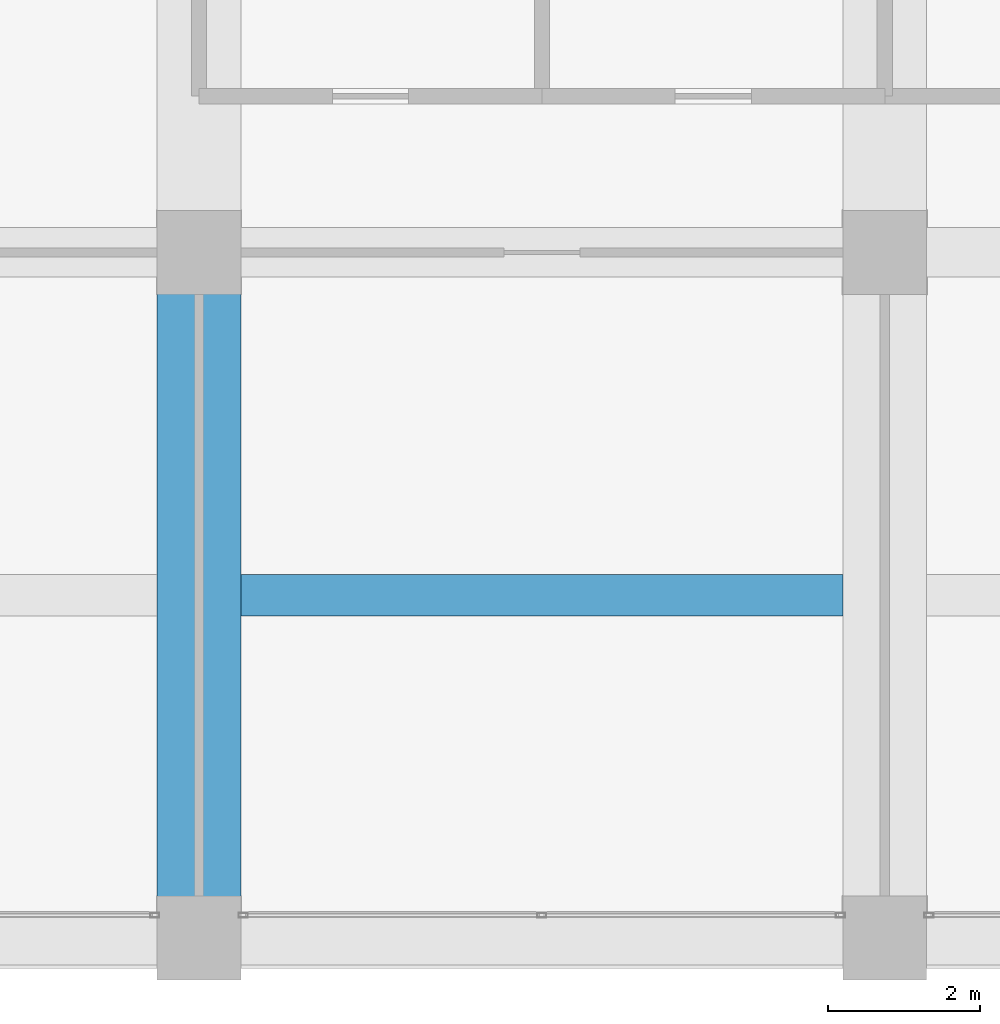
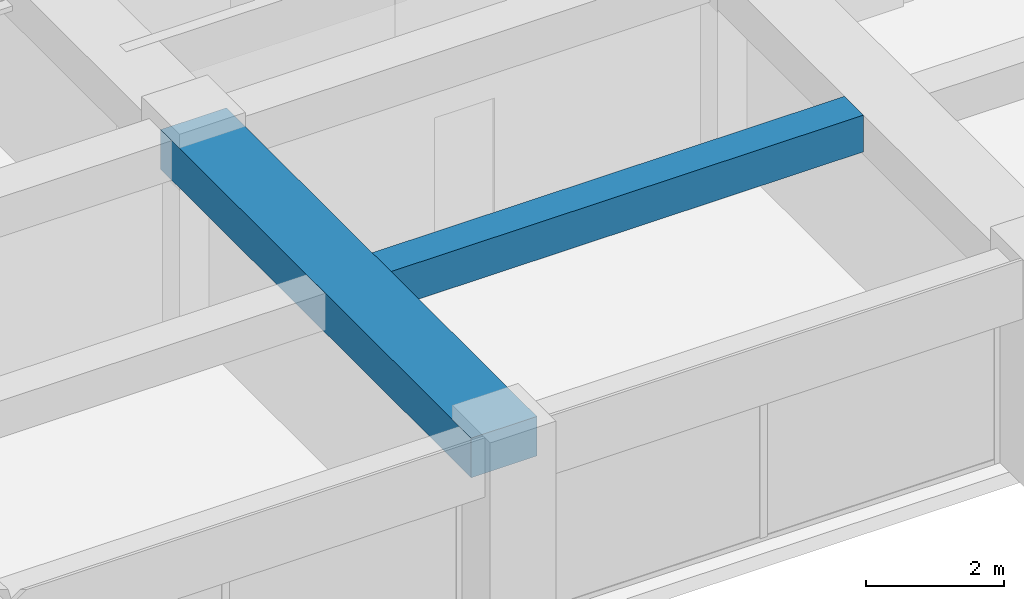
# One storey, part 10 of 44: 2 beams.
"""IFC4 building model written with IfcOpenShell, lengths in metres."""

from ifc_helpers import new_model, si_unit, direction, frame, origin, origin_2d, place, context, subcontext, project, spatial, rectangle, extrude, material, material_profile, profile_set, type_object, element, save


model = new_model("IFC4")

# Units and contexts
model_context = context("Model", 3, precision=1e-05, world=origin(), true_north=direction((0.0, 1.0)))
body_context = subcontext(model_context, "Body", "Model", "MODEL_VIEW")
ifc_project = project(units=[si_unit("LENGTHUNIT", "METRE"), si_unit("AREAUNIT", "SQUARE_METRE"), si_unit("VOLUMEUNIT", "CUBIC_METRE"), si_unit("PLANEANGLEUNIT", "RADIAN"), si_unit("MASSUNIT", "GRAM", prefix="KILO")], contexts=[model_context])

# Site, building, storey
site_placement = place(None, origin())
site = spatial("IfcSite", under=ifc_project, at=site_placement, CompositionType="ELEMENT")
building_placement = place(site_placement, origin())
building = spatial("IfcBuilding", under=site, at=building_placement, Name="Zorevar Civic Tower", CompositionType="ELEMENT")
storey_placement = place(building_placement, frame((0.0, 0.0, 263.39990234375)))
storey = spatial("IfcBuildingStorey", under=building, at=storey_placement, Name="L64", CompositionType="ELEMENT", Elevation=263.39990234375)

# Beams
ifc_material_1 = material(Name="Concrete C50/60", Category="concrete")
ifc_material_profile_1 = material_profile(ifc_material_1, rectangle(XDim=1.10009765625, YDim=0.699951171875, at=origin_2d()), Name="RC 1100x700")
ifc_profile_set_1 = profile_set([ifc_material_profile_1], Name="Concrete C50/60")
beam_type_1 = type_object("IfcBeamType", Name="Beam RC 1100x700", PredefinedType="BEAM", material=ifc_profile_set_1)
beam_1_placement = place(storey_placement, frame((27.0, 0.0, 3.400146484375), z_axis=(0.0, 1.0, 0.0), x_axis=(-1.0, 0.0, 0.0)))
element("IfcBeam", 1, at=beam_1_placement, inside=storey, type_object=beam_type_1, Name="Girder L65", PredefinedType="BEAM", context=body_context, shape_type="SweptSolid", body=[
    extrude(rectangle(XDim=1.10009765625, YDim=0.699951171875, at=origin_2d()), origin(), (0.0, 0.0, 1.0), 9.0),
])
ifc_material_2 = material(Name="Concrete C50/60", Category="concrete")
ifc_material_profile_2 = material_profile(ifc_material_2, rectangle(XDim=0.550048828125, YDim=0.64990234375, at=origin_2d()), Name="RC 550x650")
ifc_profile_set_2 = profile_set([ifc_material_profile_2], Name="Concrete C50/60")
beam_type_2 = type_object("IfcBeamType", Name="Beam RC 550x650", PredefinedType="BEAM", material=ifc_profile_set_2)
beam_2_placement = place(storey_placement, frame((27.550048828125, 4.5, 3.425048828125), z_axis=(1.0, 0.0, 0.0), x_axis=(0.0, 1.0, 0.0)))
element("IfcBeam", 2, at=beam_2_placement, inside=storey, type_object=beam_type_2, Name="Secondary beam L65", PredefinedType="BEAM", context=body_context, shape_type="SweptSolid", body=[
    extrude(rectangle(XDim=0.550048828125, YDim=0.64990234375, at=origin_2d()), origin(), (0.0, 0.0, 1.0), 7.89990234375),
])

save(model, "model.ifc")
